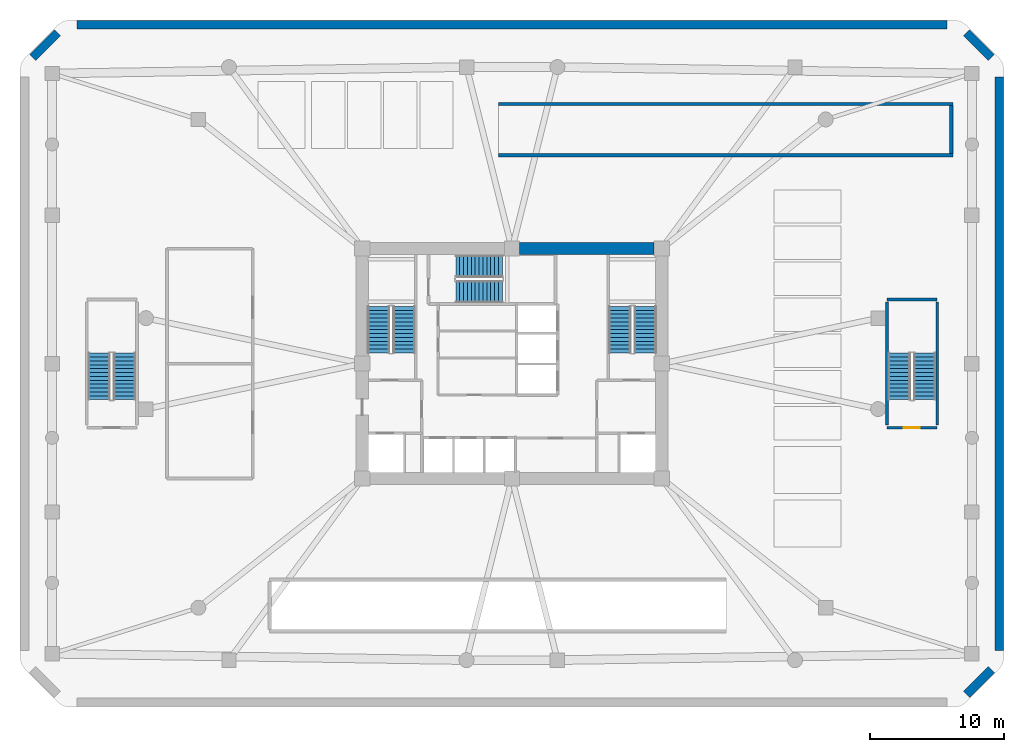
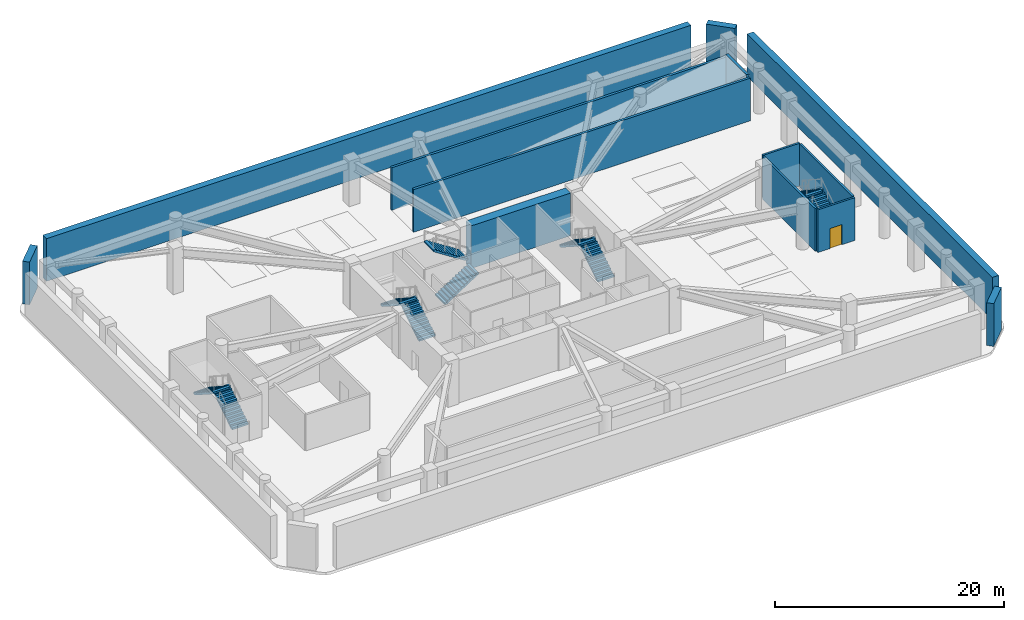
# One storey, part 4 of 8: 13 walls, 10 stair flights, 1 door, 1 opening, 5 elements without a shape of their own.
"""IFC4 building model written with IfcOpenShell, lengths in metres."""

from ifc_helpers import new_model, si_unit, derived_unit, direction, frame, frame_2d, origin, place, context, subcontext, project, spatial, polyline, rectangle, outline, extrude, material, layer, layer_set, type_object, element, fill, aggregate, save


model = new_model("IFC4")

# Units and contexts
model_context = context("Model", 3, precision=1e-05, world=origin(), true_north=direction((0.0, 1.0)))
body_context = subcontext(model_context, "Body", "Model", "MODEL_VIEW")
ifc_project = project(units=[si_unit("LENGTHUNIT", "METRE"), si_unit("AREAUNIT", "SQUARE_METRE"), si_unit("VOLUMEUNIT", "CUBIC_METRE"), si_unit("PLANEANGLEUNIT", "RADIAN"), si_unit("MASSUNIT", "GRAM", prefix="KILO"), derived_unit("THERMALTRANSMITTANCEUNIT", [(si_unit("POWERUNIT", "WATT"), 1), (si_unit("LENGTHUNIT", "METRE"), -2), (si_unit("THERMODYNAMICTEMPERATUREUNIT", "KELVIN"), -1)])], contexts=[model_context])

# Site, building, storey
site_placement = place(None, origin())
site = spatial("IfcSite", under=ifc_project, at=site_placement, CompositionType="ELEMENT")
building_placement = place(site_placement, origin())
building = spatial("IfcBuilding", under=site, at=building_placement, Name="Koralith Skygarden Medical Center", CompositionType="ELEMENT")
storey_placement = place(building_placement, frame((0.0, 0.0, -4.860107421875)))
storey = spatial("IfcBuildingStorey", under=building, at=storey_placement, Name="B1", CompositionType="ELEMENT", Elevation=-4.860107421875)

# Walls
ifc_material_1 = material(Name="Concrete C55/67", Category="concrete")
ifc_layer_1 = layer(ifc_material_1, 0.64990234375)
ifc_layer_set_1 = layer_set([ifc_layer_1], Name="Concrete C55/67")
wall_type_1 = type_object("IfcWallType", Name="Basement Retaining Wall 650", PredefinedType="SOLIDWALL", material=ifc_layer_set_1)
wall_1_placement = place(storey_placement, frame((70.99609375, 1.15087890625, 0.0), z_axis=(0.0, 0.0, 1.0), x_axis=(0.707106781187, 0.707106781187, 0.0)))
element("IfcWall", 1, at=wall_1_placement, inside=storey, type_object=wall_type_1, Name="B1 Basement Retaining Wall SE", PredefinedType="SOLIDWALL", context=body_context, shape_type="SweptSolid", body=[
    extrude(rectangle(XDim=2.62060546875, YDim=0.64990234375, at=frame_2d((1.310302734375, 0.0))), origin(), (0.0, 0.0, 1.0), 4.56005859375),
])
wall_2_placement = place(storey_placement, frame((73.449951171875, 4.455078125, 0.0), z_axis=(0.0, 0.0, 1.0), x_axis=(0.0, 1.0, 0.0)))
element("IfcWall", 2, at=wall_2_placement, inside=storey, type_object=wall_type_1, Name="B1 Basement Retaining Wall E", PredefinedType="SOLIDWALL", context=body_context, shape_type="SweptSolid", body=[
    extrude(rectangle(XDim=42.889892578125, YDim=0.64990234375, at=frame_2d((21.44482421875, 0.0))), origin(), (0.0, 0.0, 1.0), 4.56005859375),
])
wall_3_placement = place(storey_placement, frame((72.84912109375, 48.7958984375, 0.0), z_axis=(0.0, 0.0, 1.0), x_axis=(-0.707106781187, 0.707106781187, 0.0)))
element("IfcWall", 3, at=wall_3_placement, inside=storey, type_object=wall_type_1, Name="B1 Basement Retaining Wall NE", PredefinedType="SOLIDWALL", context=body_context, shape_type="SweptSolid", body=[
    extrude(rectangle(XDim=2.62060546875, YDim=0.64990234375, at=frame_2d((1.310302734375, 0.0))), origin(), (0.0, 0.0, 1.0), 4.56005859375),
])
wall_4_placement = place(storey_placement, frame((69.544921875, 51.25, 0.0), z_axis=(0.0, 0.0, 1.0), x_axis=(-1.0, 0.0, 0.0)))
element("IfcWall", 4, at=wall_4_placement, inside=storey, type_object=wall_type_1, Name="B1 Basement Retaining Wall N", PredefinedType="SOLIDWALL", context=body_context, shape_type="SweptSolid", body=[
    extrude(rectangle(XDim=65.08984375, YDim=0.64990234375, at=frame_2d((32.544921875, 0.0))), origin(), (0.0, 0.0, 1.0), 4.56005859375),
])
wall_5_placement = place(storey_placement, frame((3.00390625, 50.64892578125, 0.0), z_axis=(0.0, 0.0, 1.0), x_axis=(-0.707106781187, -0.707106781187, 0.0)))
element("IfcWall", 5, at=wall_5_placement, inside=storey, type_object=wall_type_1, Name="B1 Basement Retaining Wall NW", PredefinedType="SOLIDWALL", context=body_context, shape_type="SweptSolid", body=[
    extrude(rectangle(XDim=2.62060546875, YDim=0.64990234375, at=frame_2d((1.310302734375, 0.0))), origin(), (0.0, 0.0, 1.0), 4.56005859375),
])
ifc_material_2 = material(Name="Concrete C70/85", Category="concrete")
ifc_layer_2 = layer(ifc_material_2, 0.89990234375)
ifc_layer_set_2 = layer_set([ifc_layer_2], Name="Concrete C70/85")
wall_type_2 = type_object("IfcWallType", Name="Lower Core Shear Wall 900", PredefinedType="SHEAR", material=ifc_layer_set_2)
wall_6_placement = place(storey_placement, frame((47.635009765625, 34.5, 0.0), z_axis=(0.0, 0.0, 1.0), x_axis=(-1.0, 0.0, 0.0)))
element("IfcWall", 6, at=wall_6_placement, inside=storey, type_object=wall_type_2, Name="B1 Core Shear Wall Segment 5", PredefinedType="SHEAR", context=body_context, shape_type="SweptSolid", body=[
    extrude(rectangle(XDim=10.070068359375, YDim=0.89990234375, at=frame_2d((5.03515625, 0.0))), origin(), (0.0, 0.0, 1.0), 4.56005859375),
])

# Wall, opening, door
ifc_material_3 = material(Name="Concrete C45/55", Category="concrete")
ifc_layer_3 = layer(ifc_material_3, 0.199951171875)
ifc_layer_set_3 = layer_set([ifc_layer_3], Name="Concrete C45/55")
wall_type_3 = type_object("IfcWallType", Name="Structural Stair Shaft Wall 200", PredefinedType="SHEAR", material=ifc_layer_set_3)
wall_7_placement = place(storey_placement, frame((65.050048828125, 21.10009765625, 0.0), z_axis=(0.0, 0.0, 1.0), x_axis=(1.0, 0.0, 0.0)))
wall_7 = element("IfcWall", 7, at=wall_7_placement, inside=storey, type_object=wall_type_3, Name="B1 Structural Stair Shaft Wall 200 W-ST5-B1-S", PredefinedType="SHEAR", context=body_context, shape_type="SweptSolid", body=[
    extrude(rectangle(XDim=3.75, YDim=0.199951171875, at=frame_2d((1.875, 0.0))), origin(), (0.0, 0.0, 1.0), 4.56005859375),
])
opening_placement = place(wall_7_placement, frame((1.25, 0.0, 0.0)))
opening = element("IfcOpeningElement", 8, at=opening_placement, cuts=wall_7, Name="Opening D-ST60", PredefinedType="OPENING", context=body_context, shape_type="SweptSolid", body=[
    extrude(rectangle(XDim=1.199951171875, YDim=2.14990234375, at=frame_2d((0.60009765625, 1.074951171875))), frame((0.0, 0.10986328125, 0.0), z_axis=(0.0, -1.0, 0.0), x_axis=(1.0, 0.0, 0.0)), (0.0, 0.0, 1.0), 0.219970703125),
])
ifc_material_4 = material(Name="Steel ASTM A500 Grade C", Category="steel")
door_type = type_object("IfcDoorType", Name="Smokeproof Stair Fire Door FD60S 1200", OperationType="NOTDEFINED", PredefinedType="DOOR", material=ifc_material_4)
door_placement = place(opening_placement, origin())
door = element("IfcDoor", 9, at=door_placement, inside=storey, type_object=door_type, Name="B1 Exit Stair ST5 Fire Door", OperationType="SINGLE_SWING_RIGHT", OverallHeight=2.14990234375, OverallWidth=1.199951171875, PredefinedType="DOOR", context=body_context, shape_type="SweptSolid", body=[
    extrude(rectangle(XDim=1.199951171875, YDim=2.14990234375, at=frame_2d((0.60009765625, 1.074951171875))), frame((0.0, 0.02490234375, 0.0), z_axis=(0.0, -1.0, 0.0), x_axis=(1.0, 0.0, 0.0)), (0.0, 0.0, 1.0), 0.050048828125),
])
fill(opening, door)

# Walls
wall_8_placement = place(storey_placement, frame((65.050048828125, 30.699951171875, 0.0), z_axis=(0.0, 0.0, 1.0), x_axis=(1.0, 0.0, 0.0)))
element("IfcWall", 10, at=wall_8_placement, inside=storey, type_object=wall_type_3, Name="B1 Structural Stair Shaft Wall 200 W-ST5-B1-N", PredefinedType="SHEAR", context=body_context, shape_type="SweptSolid", body=[
    extrude(rectangle(XDim=3.75, YDim=0.199951171875, at=frame_2d((1.875, 0.0))), origin(), (0.0, 0.0, 1.0), 4.56005859375),
])
for number, where, z_axis, x_axis, name in (
    (11, (65.050048828125, 21.300048828125, 0.0), (0.0, 0.0, 1.0), (0.0, 1.0, 0.0), "B1 Structural Stair Shaft Wall 200 W-ST5-B1-W"),
    (12, (68.800048828125, 21.300048828125, 0.0), (0.0, 0.0, 1.0), (0.0, 1.0, 0.0), "B1 Structural Stair Shaft Wall 200 W-ST5-B1-E"),
):
    element("IfcWall", number, at=place(storey_placement, frame(where, z_axis=z_axis, x_axis=x_axis)), inside=storey, type_object=wall_type_3, Name=name, PredefinedType="SHEAR", context=body_context, shape_type="SweptSolid", body=[
        extrude(rectangle(XDim=9.199951171875, YDim=0.199951171875, at=frame_2d((4.60009765625, 0.0))), origin(), (0.0, 0.0, 1.0), 4.56005859375),
    ])
ifc_layer_4 = layer(ifc_material_3, 0.25)
ifc_layer_set_4 = layer_set([ifc_layer_4], Name="Concrete C45/55")
wall_type_4 = type_object("IfcWallType", Name="Vehicle Ramp Enclosure Wall 250", PredefinedType="SOLIDWALL", material=ifc_layer_set_4)
for number, where, z_axis, x_axis, name in (
    (13, (36.0, 41.47998046875, 0.0), (0.0, 0.0, 1.0), (1.0, 0.0, 0.0), "B1 Car Park Ramp R2 Side Wall S"),
    (14, (36.0, 45.320068359375, 0.0), (0.0, 0.0, 1.0), (1.0, 0.0, 0.0), "B1 Car Park Ramp R2 Side Wall N"),
):
    element("IfcWall", number, at=place(storey_placement, frame(where, z_axis=z_axis, x_axis=x_axis)), inside=storey, type_object=wall_type_4, Name=name, PredefinedType="SOLIDWALL", context=body_context, shape_type="SweptSolid", body=[
        extrude(rectangle(XDim=34.0, YDim=0.25, at=frame_2d((17.0, 0.0))), origin(), (0.0, 0.0, 1.0), 4.56005859375),
    ])
wall_9_placement = place(storey_placement, frame((69.85009765625, 41.60009765625, 0.0), z_axis=(0.0, 0.0, 1.0), x_axis=(0.0, 1.0, 0.0)))
element("IfcWall", 15, at=wall_9_placement, inside=storey, type_object=wall_type_4, Name="B1 Car Park Ramp R2 Top Support Wall", PredefinedType="SOLIDWALL", context=body_context, shape_type="SweptSolid", body=[
    extrude(rectangle(XDim=3.599853515625, YDim=0.25, at=frame_2d((1.7998046875, 0.0))), origin(), (0.0, 0.0, 1.0), 4.860107421875),
])

# Stair, stair flights
stair_type = type_object("IfcStairType", Name="Core Exit Dogleg Concrete Stair", PredefinedType="HALF_TURN_STAIR", material=ifc_material_3)
stair_1_placement = place(storey_placement, origin())
stair_1 = element("IfcStair", 16, at=stair_1_placement, inside=storey, type_object=stair_type, Name="B1 Smokeproof Exit Stair ST1", PredefinedType="HALF_TURN_STAIR")
stair_flight_type = type_object("IfcStairFlightType", Name="Core Exit Concrete Stair Flight 1650", PredefinedType="STRAIGHT", material=ifc_material_3)
stair_flight_1_placement = place(storey_placement, frame((28.925048828125, 26.699951171875, 0.0), z_axis=(0.0, 0.0, 1.0), x_axis=(0.0, 1.0, 0.0)))
stair_flight_1 = element("IfcStairFlight", 17, at=stair_flight_1_placement, type_object=stair_flight_type, Name="ST1 flight 1", NumberOfRisers=13, NumberOfTreads=12, PredefinedType="STRAIGHT", RiserHeight=0.186923, TreadLength=0.29, context=body_context, shape_type="SweptSolid", body=[
    extrude(outline(polyline([(0.0, 0.0), (0.0, 0.18701171875), (0.2900390625, 0.18701171875), (0.2900390625, 0.373779296875), (0.580078125, 0.373779296875), (0.580078125, 0.560791015625), (0.8701171875, 0.560791015625), (0.8701171875, 0.747802734375), (1.159912109375, 0.747802734375), (1.159912109375, 0.9345703125), (1.449951171875, 0.9345703125), (1.449951171875, 1.12158203125), (1.739990234375, 1.12158203125), (1.739990234375, 1.308349609375), (2.030029296875, 1.308349609375), (2.030029296875, 1.495361328125), (2.320068359375, 1.495361328125), (2.320068359375, 1.682373046875), (2.610107421875, 1.682373046875), (2.610107421875, 1.869140625), (2.89990234375, 1.869140625), (2.89990234375, 2.05615234375), (3.18994140625, 2.05615234375), (3.18994140625, 2.2431640625), (3.47998046875, 2.2431640625), (3.47998046875, 2.429931640625), (3.47998046875, 2.064697265625), (0.276611328125, 0.0), (0.0, 0.0)])), frame((0.0, 0.824951171875, 0.0), z_axis=(0.0, -1.0, 0.0), x_axis=(1.0, 0.0, 0.0)), (0.0, 0.0, 1.0), 1.64990234375),
])
stair_flight_2_placement = place(storey_placement, frame((27.02490234375, 30.179931640625, 2.43017578125), z_axis=(0.0, 0.0, 1.0), x_axis=(0.0, -1.0, 0.0)))
stair_flight_2 = element("IfcStairFlight", 18, at=stair_flight_2_placement, type_object=stair_flight_type, Name="ST1 flight 2", NumberOfRisers=13, NumberOfTreads=12, PredefinedType="STRAIGHT", RiserHeight=0.186923, TreadLength=0.29, context=body_context, shape_type="SweptSolid", body=[
    extrude(outline(polyline([(0.0, 0.0), (0.0, 0.18701171875), (0.2900390625, 0.18701171875), (0.2900390625, 0.373779296875), (0.580078125, 0.373779296875), (0.580078125, 0.560791015625), (0.8701171875, 0.560791015625), (0.8701171875, 0.747802734375), (1.159912109375, 0.747802734375), (1.159912109375, 0.9345703125), (1.449951171875, 0.9345703125), (1.449951171875, 1.12158203125), (1.739990234375, 1.12158203125), (1.739990234375, 1.308349609375), (2.030029296875, 1.308349609375), (2.030029296875, 1.495361328125), (2.320068359375, 1.495361328125), (2.320068359375, 1.682373046875), (2.610107421875, 1.682373046875), (2.610107421875, 1.869140625), (2.89990234375, 1.869140625), (2.89990234375, 2.05615234375), (3.18994140625, 2.05615234375), (3.18994140625, 2.2431640625), (3.47998046875, 2.2431640625), (3.47998046875, 2.429931640625), (3.47998046875, 2.064697265625), (0.276611328125, 0.0), (0.0, 0.0)])), frame((0.0, 0.824951171875, 0.0), z_axis=(0.0, -1.0, 0.0), x_axis=(1.0, 0.0, 0.0)), (0.0, 0.0, 1.0), 1.64990234375),
])
aggregate(stair_1, [stair_flight_1, stair_flight_2])

stair_2_placement = place(storey_placement, origin())
stair_2 = element("IfcStair", 19, at=stair_2_placement, inside=storey, type_object=stair_type, Name="B1 Smokeproof Exit Stair ST2", PredefinedType="HALF_TURN_STAIR")
stair_flight_3_placement = place(storey_placement, frame((46.97509765625, 26.699951171875, 0.0), z_axis=(0.0, 0.0, 1.0), x_axis=(0.0, 1.0, 0.0)))
stair_flight_3 = element("IfcStairFlight", 20, at=stair_flight_3_placement, type_object=stair_flight_type, Name="ST2 flight 1", NumberOfRisers=13, NumberOfTreads=12, PredefinedType="STRAIGHT", RiserHeight=0.186923, TreadLength=0.29, context=body_context, shape_type="SweptSolid", body=[
    extrude(outline(polyline([(0.0, 0.0), (0.0, 0.18701171875), (0.2900390625, 0.18701171875), (0.2900390625, 0.373779296875), (0.580078125, 0.373779296875), (0.580078125, 0.560791015625), (0.8701171875, 0.560791015625), (0.8701171875, 0.747802734375), (1.159912109375, 0.747802734375), (1.159912109375, 0.9345703125), (1.449951171875, 0.9345703125), (1.449951171875, 1.12158203125), (1.739990234375, 1.12158203125), (1.739990234375, 1.308349609375), (2.030029296875, 1.308349609375), (2.030029296875, 1.495361328125), (2.320068359375, 1.495361328125), (2.320068359375, 1.682373046875), (2.610107421875, 1.682373046875), (2.610107421875, 1.869140625), (2.89990234375, 1.869140625), (2.89990234375, 2.05615234375), (3.18994140625, 2.05615234375), (3.18994140625, 2.2431640625), (3.47998046875, 2.2431640625), (3.47998046875, 2.429931640625), (3.47998046875, 2.064697265625), (0.276611328125, 0.0), (0.0, 0.0)])), frame((0.0, 0.824951171875, 0.0), z_axis=(0.0, -1.0, 0.0), x_axis=(1.0, 0.0, 0.0)), (0.0, 0.0, 1.0), 1.64990234375),
])
stair_flight_4_placement = place(storey_placement, frame((45.074951171875, 30.179931640625, 2.43017578125), z_axis=(0.0, 0.0, 1.0), x_axis=(0.0, -1.0, 0.0)))
stair_flight_4 = element("IfcStairFlight", 21, at=stair_flight_4_placement, type_object=stair_flight_type, Name="ST2 flight 2", NumberOfRisers=13, NumberOfTreads=12, PredefinedType="STRAIGHT", RiserHeight=0.186923, TreadLength=0.29, context=body_context, shape_type="SweptSolid", body=[
    extrude(outline(polyline([(0.0, 0.0), (0.0, 0.18701171875), (0.2900390625, 0.18701171875), (0.2900390625, 0.373779296875), (0.580078125, 0.373779296875), (0.580078125, 0.560791015625), (0.8701171875, 0.560791015625), (0.8701171875, 0.747802734375), (1.159912109375, 0.747802734375), (1.159912109375, 0.9345703125), (1.449951171875, 0.9345703125), (1.449951171875, 1.12158203125), (1.739990234375, 1.12158203125), (1.739990234375, 1.308349609375), (2.030029296875, 1.308349609375), (2.030029296875, 1.495361328125), (2.320068359375, 1.495361328125), (2.320068359375, 1.682373046875), (2.610107421875, 1.682373046875), (2.610107421875, 1.869140625), (2.89990234375, 1.869140625), (2.89990234375, 2.05615234375), (3.18994140625, 2.05615234375), (3.18994140625, 2.2431640625), (3.47998046875, 2.2431640625), (3.47998046875, 2.429931640625), (3.47998046875, 2.064697265625), (0.276611328125, 0.0), (0.0, 0.0)])), frame((0.0, 0.824951171875, 0.0), z_axis=(0.0, -1.0, 0.0), x_axis=(1.0, 0.0, 0.0)), (0.0, 0.0, 1.0), 1.64990234375),
])
aggregate(stair_2, [stair_flight_3, stair_flight_4])

stair_3_placement = place(storey_placement, origin())
stair_3 = element("IfcStair", 22, at=stair_3_placement, inside=storey, type_object=stair_type, Name="B1 Smokeproof Exit Stair ST3", PredefinedType="HALF_TURN_STAIR")
stair_flight_5_placement = place(storey_placement, frame((32.800048828125, 31.27490234375, 0.0), z_axis=(0.0, 0.0, 1.0), x_axis=(1.0, 0.0, 0.0)))
stair_flight_5 = element("IfcStairFlight", 23, at=stair_flight_5_placement, type_object=stair_flight_type, Name="ST3 flight 1", NumberOfRisers=13, NumberOfTreads=12, PredefinedType="STRAIGHT", RiserHeight=0.186923, TreadLength=0.29, context=body_context, shape_type="SweptSolid", body=[
    extrude(outline(polyline([(0.0, 0.0), (0.0, 0.18701171875), (0.2900390625, 0.18701171875), (0.2900390625, 0.373779296875), (0.580078125, 0.373779296875), (0.580078125, 0.560791015625), (0.8701171875, 0.560791015625), (0.8701171875, 0.747802734375), (1.159912109375, 0.747802734375), (1.159912109375, 0.9345703125), (1.449951171875, 0.9345703125), (1.449951171875, 1.12158203125), (1.739990234375, 1.12158203125), (1.739990234375, 1.308349609375), (2.030029296875, 1.308349609375), (2.030029296875, 1.495361328125), (2.320068359375, 1.495361328125), (2.320068359375, 1.682373046875), (2.610107421875, 1.682373046875), (2.610107421875, 1.869140625), (2.89990234375, 1.869140625), (2.89990234375, 2.05615234375), (3.18994140625, 2.05615234375), (3.18994140625, 2.2431640625), (3.47998046875, 2.2431640625), (3.47998046875, 2.429931640625), (3.47998046875, 2.064697265625), (0.276611328125, 0.0), (0.0, 0.0)])), frame((0.0, 0.824951171875, 0.0), z_axis=(0.0, -1.0, 0.0), x_axis=(1.0, 0.0, 0.0)), (0.0, 0.0, 1.0), 1.64990234375),
])
stair_flight_6_placement = place(storey_placement, frame((36.280029296875, 33.175048828125, 2.43017578125), z_axis=(0.0, 0.0, 1.0), x_axis=(-1.0, 0.0, 0.0)))
stair_flight_6 = element("IfcStairFlight", 24, at=stair_flight_6_placement, type_object=stair_flight_type, Name="ST3 flight 2", NumberOfRisers=13, NumberOfTreads=12, PredefinedType="STRAIGHT", RiserHeight=0.186923, TreadLength=0.29, context=body_context, shape_type="SweptSolid", body=[
    extrude(outline(polyline([(0.0, 0.0), (0.0, 0.18701171875), (0.2900390625, 0.18701171875), (0.2900390625, 0.373779296875), (0.580078125, 0.373779296875), (0.580078125, 0.560791015625), (0.8701171875, 0.560791015625), (0.8701171875, 0.747802734375), (1.159912109375, 0.747802734375), (1.159912109375, 0.9345703125), (1.449951171875, 0.9345703125), (1.449951171875, 1.12158203125), (1.739990234375, 1.12158203125), (1.739990234375, 1.308349609375), (2.030029296875, 1.308349609375), (2.030029296875, 1.495361328125), (2.320068359375, 1.495361328125), (2.320068359375, 1.682373046875), (2.610107421875, 1.682373046875), (2.610107421875, 1.869140625), (2.89990234375, 1.869140625), (2.89990234375, 2.05615234375), (3.18994140625, 2.05615234375), (3.18994140625, 2.2431640625), (3.47998046875, 2.2431640625), (3.47998046875, 2.429931640625), (3.47998046875, 2.064697265625), (0.276611328125, 0.0), (0.0, 0.0)])), frame((0.0, 0.824951171875, 0.0), z_axis=(0.0, -1.0, 0.0), x_axis=(1.0, 0.0, 0.0)), (0.0, 0.0, 1.0), 1.64990234375),
])
aggregate(stair_3, [stair_flight_5, stair_flight_6])

stair_4_placement = place(storey_placement, origin())
stair_4 = element("IfcStair", 25, at=stair_4_placement, inside=storey, type_object=stair_type, Name="B1 Podium Smokeproof Exit Stair ST4", PredefinedType="HALF_TURN_STAIR")
stair_flight_7_placement = place(storey_placement, frame((8.02490234375, 23.199951171875, 0.0), z_axis=(0.0, 0.0, 1.0), x_axis=(0.0, 1.0, 0.0)))
stair_flight_7 = element("IfcStairFlight", 26, at=stair_flight_7_placement, type_object=stair_flight_type, Name="ST4 flight 1", NumberOfRisers=13, NumberOfTreads=12, PredefinedType="STRAIGHT", RiserHeight=0.186923, TreadLength=0.29, context=body_context, shape_type="SweptSolid", body=[
    extrude(outline(polyline([(0.0, 0.0), (0.0, 0.18701171875), (0.2900390625, 0.18701171875), (0.2900390625, 0.373779296875), (0.580078125, 0.373779296875), (0.580078125, 0.560791015625), (0.8701171875, 0.560791015625), (0.8701171875, 0.747802734375), (1.159912109375, 0.747802734375), (1.159912109375, 0.9345703125), (1.449951171875, 0.9345703125), (1.449951171875, 1.12158203125), (1.739990234375, 1.12158203125), (1.739990234375, 1.308349609375), (2.030029296875, 1.308349609375), (2.030029296875, 1.495361328125), (2.320068359375, 1.495361328125), (2.320068359375, 1.682373046875), (2.610107421875, 1.682373046875), (2.610107421875, 1.869140625), (2.89990234375, 1.869140625), (2.89990234375, 2.05615234375), (3.18994140625, 2.05615234375), (3.18994140625, 2.2431640625), (3.47998046875, 2.2431640625), (3.47998046875, 2.429931640625), (3.47998046875, 2.064697265625), (0.276611328125, 0.0), (0.0, 0.0)])), frame((0.0, 0.824951171875, 0.0), z_axis=(0.0, -1.0, 0.0), x_axis=(1.0, 0.0, 0.0)), (0.0, 0.0, 1.0), 1.64990234375),
])
stair_flight_8_placement = place(storey_placement, frame((6.125, 26.679931640625, 2.43017578125), z_axis=(0.0, 0.0, 1.0), x_axis=(0.0, -1.0, 0.0)))
stair_flight_8 = element("IfcStairFlight", 27, at=stair_flight_8_placement, type_object=stair_flight_type, Name="ST4 flight 2", NumberOfRisers=13, NumberOfTreads=12, PredefinedType="STRAIGHT", RiserHeight=0.186923, TreadLength=0.29, context=body_context, shape_type="SweptSolid", body=[
    extrude(outline(polyline([(0.0, 0.0), (0.0, 0.18701171875), (0.2900390625, 0.18701171875), (0.2900390625, 0.373779296875), (0.580078125, 0.373779296875), (0.580078125, 0.560791015625), (0.8701171875, 0.560791015625), (0.8701171875, 0.747802734375), (1.159912109375, 0.747802734375), (1.159912109375, 0.9345703125), (1.449951171875, 0.9345703125), (1.449951171875, 1.12158203125), (1.739990234375, 1.12158203125), (1.739990234375, 1.308349609375), (2.030029296875, 1.308349609375), (2.030029296875, 1.495361328125), (2.320068359375, 1.495361328125), (2.320068359375, 1.682373046875), (2.610107421875, 1.682373046875), (2.610107421875, 1.869140625), (2.89990234375, 1.869140625), (2.89990234375, 2.05615234375), (3.18994140625, 2.05615234375), (3.18994140625, 2.2431640625), (3.47998046875, 2.2431640625), (3.47998046875, 2.429931640625), (3.47998046875, 2.064697265625), (0.276611328125, 0.0), (0.0, 0.0)])), frame((0.0, 0.824951171875, 0.0), z_axis=(0.0, -1.0, 0.0), x_axis=(1.0, 0.0, 0.0)), (0.0, 0.0, 1.0), 1.64990234375),
])
aggregate(stair_4, [stair_flight_7, stair_flight_8])

stair_5_placement = place(storey_placement, origin())
stair_5 = element("IfcStair", 28, at=stair_5_placement, inside=storey, type_object=stair_type, Name="B1 Podium Smokeproof Exit Stair ST5", PredefinedType="HALF_TURN_STAIR")
stair_flight_9_placement = place(storey_placement, frame((67.875, 23.199951171875, 0.0), z_axis=(0.0, 0.0, 1.0), x_axis=(0.0, 1.0, 0.0)))
stair_flight_9 = element("IfcStairFlight", 29, at=stair_flight_9_placement, type_object=stair_flight_type, Name="ST5 flight 1", NumberOfRisers=13, NumberOfTreads=12, PredefinedType="STRAIGHT", RiserHeight=0.186923, TreadLength=0.29, context=body_context, shape_type="SweptSolid", body=[
    extrude(outline(polyline([(0.0, 0.0), (0.0, 0.18701171875), (0.2900390625, 0.18701171875), (0.2900390625, 0.373779296875), (0.580078125, 0.373779296875), (0.580078125, 0.560791015625), (0.8701171875, 0.560791015625), (0.8701171875, 0.747802734375), (1.159912109375, 0.747802734375), (1.159912109375, 0.9345703125), (1.449951171875, 0.9345703125), (1.449951171875, 1.12158203125), (1.739990234375, 1.12158203125), (1.739990234375, 1.308349609375), (2.030029296875, 1.308349609375), (2.030029296875, 1.495361328125), (2.320068359375, 1.495361328125), (2.320068359375, 1.682373046875), (2.610107421875, 1.682373046875), (2.610107421875, 1.869140625), (2.89990234375, 1.869140625), (2.89990234375, 2.05615234375), (3.18994140625, 2.05615234375), (3.18994140625, 2.2431640625), (3.47998046875, 2.2431640625), (3.47998046875, 2.429931640625), (3.47998046875, 2.064697265625), (0.276611328125, 0.0), (0.0, 0.0)])), frame((0.0, 0.824951171875, 0.0), z_axis=(0.0, -1.0, 0.0), x_axis=(1.0, 0.0, 0.0)), (0.0, 0.0, 1.0), 1.64990234375),
])
stair_flight_10_placement = place(storey_placement, frame((65.97509765625, 26.679931640625, 2.43017578125), z_axis=(0.0, 0.0, 1.0), x_axis=(0.0, -1.0, 0.0)))
stair_flight_10 = element("IfcStairFlight", 30, at=stair_flight_10_placement, type_object=stair_flight_type, Name="ST5 flight 2", NumberOfRisers=13, NumberOfTreads=12, PredefinedType="STRAIGHT", RiserHeight=0.186923, TreadLength=0.29, context=body_context, shape_type="SweptSolid", body=[
    extrude(outline(polyline([(0.0, 0.0), (0.0, 0.18701171875), (0.2900390625, 0.18701171875), (0.2900390625, 0.373779296875), (0.580078125, 0.373779296875), (0.580078125, 0.560791015625), (0.8701171875, 0.560791015625), (0.8701171875, 0.747802734375), (1.159912109375, 0.747802734375), (1.159912109375, 0.9345703125), (1.449951171875, 0.9345703125), (1.449951171875, 1.12158203125), (1.739990234375, 1.12158203125), (1.739990234375, 1.308349609375), (2.030029296875, 1.308349609375), (2.030029296875, 1.495361328125), (2.320068359375, 1.495361328125), (2.320068359375, 1.682373046875), (2.610107421875, 1.682373046875), (2.610107421875, 1.869140625), (2.89990234375, 1.869140625), (2.89990234375, 2.05615234375), (3.18994140625, 2.05615234375), (3.18994140625, 2.2431640625), (3.47998046875, 2.2431640625), (3.47998046875, 2.429931640625), (3.47998046875, 2.064697265625), (0.276611328125, 0.0), (0.0, 0.0)])), frame((0.0, 0.824951171875, 0.0), z_axis=(0.0, -1.0, 0.0), x_axis=(1.0, 0.0, 0.0)), (0.0, 0.0, 1.0), 1.64990234375),
])
aggregate(stair_5, [stair_flight_9, stair_flight_10])

save(model, "model.ifc")
